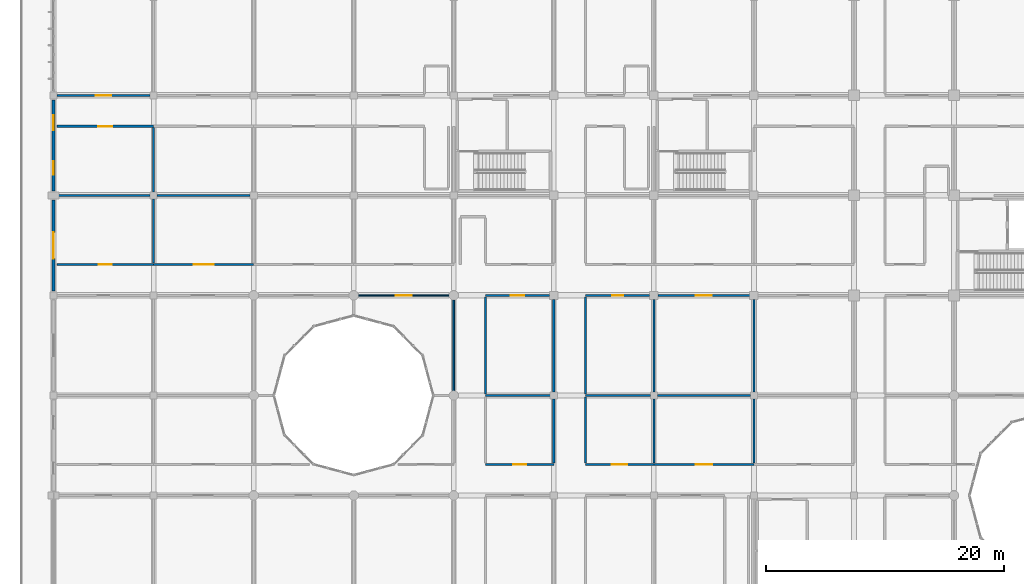
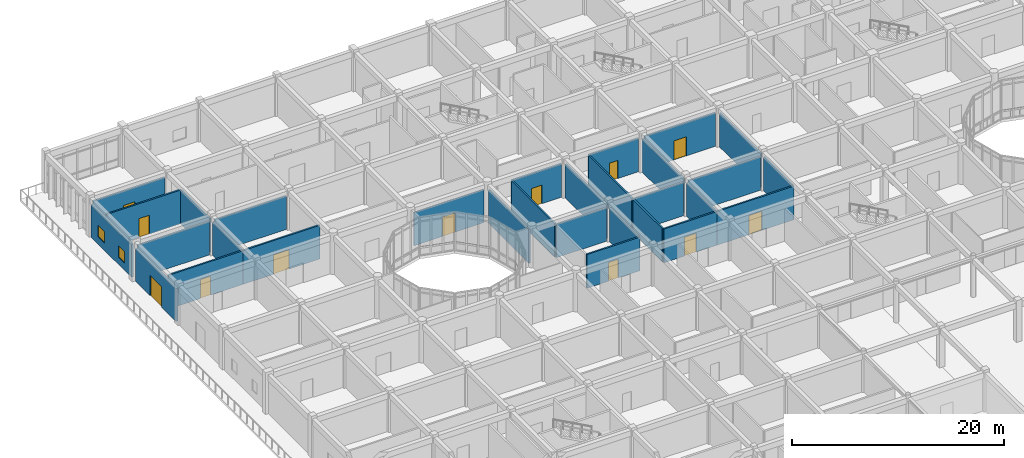
# One storey, part 99 of 138: 30 walls, 12 doors, 2 windows, 14 openings.
"""IFC4 building model written with IfcOpenShell, lengths in metres."""

from ifc_helpers import new_model, si_unit, direction, frame, frame_2d, origin, place, context, subcontext, project, spatial, rectangle, extrude, material, layer, layer_set, type_object, element, fill, save


model = new_model("IFC4")

# Units and contexts
model_context = context("Model", 3, precision=1e-05, world=origin(), true_north=direction((0.0, 1.0)))
body_context = subcontext(model_context, "Body", "Model", "MODEL_VIEW")
ifc_project = project(units=[si_unit("LENGTHUNIT", "METRE"), si_unit("AREAUNIT", "SQUARE_METRE"), si_unit("VOLUMEUNIT", "CUBIC_METRE"), si_unit("PLANEANGLEUNIT", "RADIAN"), si_unit("MASSUNIT", "GRAM", prefix="KILO")], contexts=[model_context])

# Site, building, storey
site_placement = place(None, origin())
site = spatial("IfcSite", under=ifc_project, at=site_placement, CompositionType="ELEMENT")
building_placement = place(site_placement, origin())
building = spatial("IfcBuilding", under=site, at=building_placement, Name="Bramfleet General Hospital", CompositionType="ELEMENT")
storey_placement = place(building_placement, origin())
storey = spatial("IfcBuildingStorey", under=building, at=storey_placement, Name="L00", CompositionType="ELEMENT", Elevation=0.0)

# Wall, opening, door
ifc_material_1 = material(Name="Precast concrete C40/50", Category="concrete")
ifc_layer_1 = layer(ifc_material_1, 0.25, Name="WT-EW-08")
ifc_layer_set_1 = layer_set([ifc_layer_1], Name="Precast concrete C40/50")
wall_type_1 = type_object("IfcWallType", Name="WT-EW-08", PredefinedType="SOLIDWALL", material=ifc_layer_set_1)
wall_1_placement = place(storey_placement, frame((0.0, 92.77490234375, 0.0), z_axis=(0.0, 0.0, 1.0), x_axis=(0.0, 1.0, 0.0)))
wall_1 = element("IfcWall", 1, at=wall_1_placement, inside=storey, type_object=wall_type_1, Name="L00 Exterior Wall 104", PredefinedType="SOLIDWALL", context=body_context, shape_type="SweptSolid", body=[
    extrude(rectangle(XDim=7.650146484375, YDim=0.25, at=frame_2d((3.8251953125, 0.0))), origin(), (0.0, 0.0, 1.0), 3.7900390625),
])
opening_1_placement = place(wall_1_placement, frame((2.72509765625, 0.0, 0.0)))
opening_1 = element("IfcOpeningElement", 2, at=opening_1_placement, cuts=wall_1, Name="Opening D-L00-EXT-006", PredefinedType="OPENING", context=body_context, shape_type="SweptSolid", body=[
    extrude(rectangle(XDim=2.199951171875, YDim=2.35009765625, at=frame_2d((1.10009765625, 1.175048828125))), frame((0.0, 0.135009765625, 0.0), z_axis=(0.0, -1.0, 0.0), x_axis=(1.0, 0.0, 0.0)), (0.0, 0.0, 1.0), 0.27001953125),
])
ifc_material_2 = material(Name="Thermally broken steel and laminated safety glass", Category="steel")
door_type_1 = type_object("IfcDoorType", Name="DR-ED-01", OperationType="NOTDEFINED", PredefinedType="DOOR", material=ifc_material_2)
door_1_placement = place(opening_1_placement, origin())
door_1 = element("IfcDoor", 3, at=door_1_placement, inside=storey, type_object=door_type_1, Name="Ground Exterior Pedestrian Door D-L00-EXT-006", OperationType="DOUBLE_SWING_LEFT", OverallHeight=2.35009765625, OverallWidth=2.199951171875, PredefinedType="DOOR", context=body_context, shape_type="SweptSolid", body=[
    extrude(rectangle(XDim=2.199951171875, YDim=2.35009765625, at=frame_2d((1.10009765625, 1.175048828125))), frame((0.0, 0.02490234375, 0.0), z_axis=(0.0, -1.0, 0.0), x_axis=(1.0, 0.0, 0.0)), (0.0, 0.0, 1.0), 0.050048828125),
])
fill(opening_1, door_1)

# Wall, openings, windows
ifc_layer_2 = layer(ifc_material_1, 0.235107421875, Name="WT-EW-09")
ifc_layer_set_2 = layer_set([ifc_layer_2], Name="Precast concrete C40/50")
wall_type_2 = type_object("IfcWallType", Name="WT-EW-09", PredefinedType="SOLIDWALL", material=ifc_layer_set_2)
wall_2_placement = place(storey_placement, frame((0.0, 101.175048828125, 0.0), z_axis=(0.0, 0.0, 1.0), x_axis=(0.0, 1.0, 0.0)))
wall_2 = element("IfcWall", 4, at=wall_2_placement, inside=storey, type_object=wall_type_2, Name="L00 Exterior Wall 105", PredefinedType="SOLIDWALL", context=body_context, shape_type="SweptSolid", body=[
    extrude(rectangle(XDim=7.64990234375, YDim=0.235107421875, at=frame_2d((3.824951171875, 0.0))), origin(), (0.0, 0.0, 1.0), 3.7900390625),
])
opening_2_placement = place(wall_2_placement, frame((1.33740234375, 0.0, 0.85009765625)))
opening_2 = element("IfcOpeningElement", 5, at=opening_2_placement, cuts=wall_2, Name="Opening W-03", PredefinedType="OPENING", context=body_context, shape_type="SweptSolid", body=[
    extrude(rectangle(XDim=1.14990234375, YDim=1.300048828125, at=frame_2d((0.574951171875, 0.64990234375))), frame((0.0, 0.12744140625, 0.0), z_axis=(0.0, -1.0, 0.0), x_axis=(1.0, 0.0, 0.0)), (0.0, 0.0, 1.0), 0.255126953125),
])
opening_3_placement = place(wall_2_placement, frame((5.112548828125, 0.0, 0.85009765625)))
opening_3 = element("IfcOpeningElement", 6, at=opening_3_placement, cuts=wall_2, Name="Opening W-04", PredefinedType="OPENING", context=body_context, shape_type="SweptSolid", body=[
    extrude(rectangle(XDim=1.25, YDim=1.300048828125, at=frame_2d((0.625, 0.64990234375))), frame((0.0, 0.12744140625, 0.0), z_axis=(0.0, -1.0, 0.0), x_axis=(1.0, 0.0, 0.0)), (0.0, 0.0, 1.0), 0.255126953125),
])
ifc_material_3 = material(Name="Anodised aluminium and low-E triple glazing", Category="aluminium")
window_type_1 = type_object("IfcWindowType", Name="WIN-W-03", PartitioningType="SINGLE_PANEL", PredefinedType="WINDOW", material=ifc_material_3)
window_1_placement = place(opening_2_placement, origin())
window_1 = element("IfcWindow", 7, at=window_1_placement, inside=storey, type_object=window_type_1, Name="L00 Facade Window WIN-L00-105-1", OverallHeight=1.300048828125, OverallWidth=1.14990234375, PartitioningType="SINGLE_PANEL", PredefinedType="WINDOW", context=body_context, shape_type="SweptSolid", body=[
    extrude(rectangle(XDim=1.14990234375, YDim=1.300048828125, at=frame_2d((0.574951171875, 0.64990234375))), frame((0.0, 0.030029296875, 0.0), z_axis=(0.0, -1.0, 0.0), x_axis=(1.0, 0.0, 0.0)), (0.0, 0.0, 1.0), 0.06005859375),
])
fill(opening_2, window_1)
window_type_2 = type_object("IfcWindowType", Name="WIN-W-04", PartitioningType="SINGLE_PANEL", PredefinedType="WINDOW", material=ifc_material_3)
window_2_placement = place(opening_3_placement, origin())
window_2 = element("IfcWindow", 8, at=window_2_placement, inside=storey, type_object=window_type_2, Name="L00 Facade Window WIN-L00-105-2", OverallHeight=1.300048828125, OverallWidth=1.25, PartitioningType="SINGLE_PANEL", PredefinedType="WINDOW", context=body_context, shape_type="SweptSolid", body=[
    extrude(rectangle(XDim=1.25, YDim=1.300048828125, at=frame_2d((0.625, 0.64990234375))), frame((0.0, 0.030029296875, 0.0), z_axis=(0.0, -1.0, 0.0), x_axis=(1.0, 0.0, 0.0)), (0.0, 0.0, 1.0), 0.06005859375),
])
fill(opening_3, window_2)

# Wall, opening, door
ifc_material_4 = material(Name="Concrete C35/45", Category="concrete")
ifc_layer_3 = layer(ifc_material_4, 0.179931640625, Name="WT-IW-04")
ifc_layer_set_3 = layer_set([ifc_layer_3], Name="Concrete C35/45")
wall_type_3 = type_object("IfcWallType", Name="WT-IW-04", PredefinedType="PARTITIONING", material=ifc_layer_set_3)
wall_3_placement = place(storey_placement, frame((36.25, 78.199951171875, 0.0), z_axis=(0.0, 0.0, 1.0), x_axis=(1.0, 0.0, 0.0)))
wall_3 = element("IfcWall", 9, at=wall_3_placement, inside=storey, type_object=wall_type_3, Name="L00 Interior Partition IW-L00-0768", PredefinedType="PARTITIONING", context=body_context, shape_type="SweptSolid", body=[
    extrude(rectangle(XDim=5.75, YDim=0.179931640625, at=frame_2d((2.875, 0.0))), origin(), (0.0, 0.0, 1.0), 3.889892578125),
])
opening_4_placement = place(wall_3_placement, frame((2.324951171875, 0.0, 0.0)))
opening_4 = element("IfcOpeningElement", 10, at=opening_4_placement, cuts=wall_3, Name="Opening D0459", PredefinedType="OPENING", context=body_context, shape_type="SweptSolid", body=[
    extrude(rectangle(XDim=1.10009765625, YDim=2.14990234375, at=frame_2d((0.550048828125, 1.074951171875))), frame((0.0, 0.099853515625, 0.0), z_axis=(0.0, -1.0, 0.0), x_axis=(1.0, 0.0, 0.0)), (0.0, 0.0, 1.0), 0.199951171875),
])
ifc_material_5 = material(Name="Stainless steel and acoustic timber leaf", Category="steel")
door_type_2 = type_object("IfcDoorType", Name="DR-D-11", OperationType="NOTDEFINED", PredefinedType="DOOR", material=ifc_material_5)
door_2_placement = place(opening_4_placement, origin())
door_2 = element("IfcDoor", 11, at=door_2_placement, inside=storey, type_object=door_type_2, Name="Diagnostic Imaging CT and Radiography 0409 Door D0459", OperationType="SINGLE_SWING_RIGHT", OverallHeight=2.14990234375, OverallWidth=1.10009765625, PredefinedType="DOOR", context=body_context, shape_type="SweptSolid", body=[
    extrude(rectangle(XDim=1.10009765625, YDim=2.14990234375, at=frame_2d((0.550048828125, 1.074951171875))), frame((0.0, 0.02490234375, 0.0), z_axis=(0.0, -1.0, 0.0), x_axis=(1.0, 0.0, 0.0)), (0.0, 0.0, 1.0), 0.050048828125),
])
fill(opening_4, door_2)

wall_4_placement = place(storey_placement, frame((44.64990234375, 78.199951171875, 0.0), z_axis=(0.0, 0.0, 1.0), x_axis=(1.0, 0.0, 0.0)))
wall_4 = element("IfcWall", 12, at=wall_4_placement, inside=storey, type_object=wall_type_3, Name="L00 Interior Partition IW-L00-0769", PredefinedType="PARTITIONING", context=body_context, shape_type="SweptSolid", body=[
    extrude(rectangle(XDim=5.75, YDim=0.179931640625, at=frame_2d((2.875, 0.0))), origin(), (0.0, 0.0, 1.0), 3.889892578125),
])
opening_5_placement = place(wall_4_placement, frame((2.215087890625, 0.0, 0.0)))
opening_5 = element("IfcOpeningElement", 13, at=opening_5_placement, cuts=wall_4, Name="Opening D0472", PredefinedType="OPENING", context=body_context, shape_type="SweptSolid", body=[
    extrude(rectangle(XDim=1.320068359375, YDim=2.179931640625, at=frame_2d((0.66015625, 1.08984375))), frame((0.0, 0.099853515625, 0.0), z_axis=(0.0, -1.0, 0.0), x_axis=(1.0, 0.0, 0.0)), (0.0, 0.0, 1.0), 0.199951171875),
])
door_type_3 = type_object("IfcDoorType", Name="DR-D-24", OperationType="NOTDEFINED", PredefinedType="DOOR", material=ifc_material_5)
door_3_placement = place(opening_5_placement, origin())
door_3 = element("IfcDoor", 14, at=door_3_placement, inside=storey, type_object=door_type_3, Name="Diagnostic Imaging CT and Radiography 0509 Door D0472", OperationType="SINGLE_SWING_LEFT", OverallHeight=2.179931640625, OverallWidth=1.320068359375, PredefinedType="DOOR", context=body_context, shape_type="SweptSolid", body=[
    extrude(rectangle(XDim=1.320068359375, YDim=2.179931640625, at=frame_2d((0.66015625, 1.08984375))), frame((0.0, 0.02490234375, 0.0), z_axis=(0.0, -1.0, 0.0), x_axis=(1.0, 0.0, 0.0)), (0.0, 0.0, 1.0), 0.050048828125),
])
fill(opening_5, door_3)

wall_5_placement = place(storey_placement, frame((50.39990234375, 78.199951171875, 0.0), z_axis=(0.0, 0.0, 1.0), x_axis=(1.0, 0.0, 0.0)))
wall_5 = element("IfcWall", 15, at=wall_5_placement, inside=storey, type_object=wall_type_3, Name="L00 Interior Partition IW-L00-0770", PredefinedType="PARTITIONING", context=body_context, shape_type="SweptSolid", body=[
    extrude(rectangle(XDim=8.400146484375, YDim=0.179931640625, at=frame_2d((4.2001953125, 0.0))), origin(), (0.0, 0.0, 1.0), 3.889892578125),
])
opening_6_placement = place(wall_5_placement, frame((3.5, 0.0, 0.0)))
opening_6 = element("IfcOpeningElement", 16, at=opening_6_placement, cuts=wall_5, Name="Opening D0481", PredefinedType="OPENING", context=body_context, shape_type="SweptSolid", body=[
    extrude(rectangle(XDim=1.39990234375, YDim=2.199951171875, at=frame_2d((0.699951171875, 1.10009765625))), frame((0.0, 0.099853515625, 0.0), z_axis=(0.0, -1.0, 0.0), x_axis=(1.0, 0.0, 0.0)), (0.0, 0.0, 1.0), 0.199951171875),
])
door_type_4 = type_object("IfcDoorType", Name="DR-D-01", OperationType="NOTDEFINED", PredefinedType="DOOR", material=ifc_material_5)
door_4_placement = place(opening_6_placement, origin())
door_4 = element("IfcDoor", 17, at=door_4_placement, inside=storey, type_object=door_type_4, Name="Diagnostic Imaging CT and Radiography 0609 Door D0481", OperationType="SINGLE_SWING_RIGHT", OverallHeight=2.199951171875, OverallWidth=1.39990234375, PredefinedType="DOOR", context=body_context, shape_type="SweptSolid", body=[
    extrude(rectangle(XDim=1.39990234375, YDim=2.199951171875, at=frame_2d((0.699951171875, 1.10009765625))), frame((0.0, 0.02490234375, 0.0), z_axis=(0.0, -1.0, 0.0), x_axis=(1.0, 0.0, 0.0)), (0.0, 0.0, 1.0), 0.050048828125),
])
fill(opening_6, door_4)

# Walls
for number, where, z_axis, x_axis, name in (
    (18, (36.25, 84.0, 0.0), (0.0, 0.0, 1.0), (1.0, 0.0, 0.0), "L00 Interior Partition IW-L00-0785"),
    (19, (44.64990234375, 84.0, 0.0), (0.0, 0.0, 1.0), (1.0, 0.0, 0.0), "L00 Interior Partition IW-L00-0786"),
):
    element("IfcWall", number, at=place(storey_placement, frame(where, z_axis=z_axis, x_axis=x_axis)), inside=storey, type_object=wall_type_3, Name=name, PredefinedType="PARTITIONING", context=body_context, shape_type="SweptSolid", body=[
        extrude(rectangle(XDim=5.455078125, YDim=0.179931640625, at=frame_2d((2.7275390625, 0.0))), origin(), (0.0, 0.0, 1.0), 3.840087890625),
    ])
wall_6_placement = place(storey_placement, frame((50.695068359375, 84.0, 0.0), z_axis=(0.0, 0.0, 1.0), x_axis=(1.0, 0.0, 0.0)))
element("IfcWall", 20, at=wall_6_placement, inside=storey, type_object=wall_type_3, Name="L00 Interior Partition IW-L00-0787", PredefinedType="PARTITIONING", context=body_context, shape_type="SweptSolid", body=[
    extrude(rectangle(XDim=7.809814453125, YDim=0.179931640625, at=frame_2d((3.90478515625, 0.0))), origin(), (0.0, 0.0, 1.0), 3.840087890625),
])

# Wall, opening, door
wall_7_placement = place(storey_placement, frame((36.25, 92.39990234375, 0.0), z_axis=(0.0, 0.0, 1.0), x_axis=(1.0, 0.0, 0.0)))
wall_7 = element("IfcWall", 21, at=wall_7_placement, inside=storey, type_object=wall_type_3, Name="L00 Interior Partition IW-L00-0804", PredefinedType="PARTITIONING", context=body_context, shape_type="SweptSolid", body=[
    extrude(rectangle(XDim=5.405029296875, YDim=0.179931640625, at=frame_2d((2.70263671875, 0.0))), origin(), (0.0, 0.0, 1.0), 3.840087890625),
])
opening_7_placement = place(wall_7_placement, frame((2.12744140625, 0.0, 0.0)))
opening_7 = element("IfcOpeningElement", 22, at=opening_7_placement, cuts=wall_7, Name="Opening D0460", PredefinedType="OPENING", context=body_context, shape_type="SweptSolid", body=[
    extrude(rectangle(XDim=1.14990234375, YDim=2.14990234375, at=frame_2d((0.574951171875, 1.074951171875))), frame((0.0, 0.099853515625, 0.0), z_axis=(0.0, -1.0, 0.0), x_axis=(1.0, 0.0, 0.0)), (0.0, 0.0, 1.0), 0.199951171875),
])
door_type_5 = type_object("IfcDoorType", Name="DR-D-12", OperationType="NOTDEFINED", PredefinedType="DOOR", material=ifc_material_5)
door_5_placement = place(opening_7_placement, origin())
door_5 = element("IfcDoor", 23, at=door_5_placement, inside=storey, type_object=door_type_5, Name="Diagnostic Imaging CT and Radiography 0410 Door D0460", OperationType="SINGLE_SWING_LEFT", OverallHeight=2.14990234375, OverallWidth=1.14990234375, PredefinedType="DOOR", context=body_context, shape_type="SweptSolid", body=[
    extrude(rectangle(XDim=1.14990234375, YDim=2.14990234375, at=frame_2d((0.574951171875, 1.074951171875))), frame((0.0, 0.02490234375, 0.0), z_axis=(0.0, -1.0, 0.0), x_axis=(1.0, 0.0, 0.0)), (0.0, 0.0, 1.0), 0.050048828125),
])
fill(opening_7, door_5)

wall_8_placement = place(storey_placement, frame((44.64990234375, 92.39990234375, 0.0), z_axis=(0.0, 0.0, 1.0), x_axis=(1.0, 0.0, 0.0)))
wall_8 = element("IfcWall", 24, at=wall_8_placement, inside=storey, type_object=wall_type_3, Name="L00 Interior Partition IW-L00-0805", PredefinedType="PARTITIONING", context=body_context, shape_type="SweptSolid", body=[
    extrude(rectangle(XDim=5.405029296875, YDim=0.179931640625, at=frame_2d((2.70263671875, 0.0))), origin(), (0.0, 0.0, 1.0), 3.840087890625),
])
opening_8_placement = place(wall_8_placement, frame((2.242431640625, 0.0, 0.0)))
opening_8 = element("IfcOpeningElement", 25, at=opening_8_placement, cuts=wall_8, Name="Opening D0473", PredefinedType="OPENING", context=body_context, shape_type="SweptSolid", body=[
    extrude(rectangle(XDim=0.919921875, YDim=2.080078125, at=frame_2d((0.4599609375, 1.0400390625))), frame((0.0, 0.099853515625, 0.0), z_axis=(0.0, -1.0, 0.0), x_axis=(1.0, 0.0, 0.0)), (0.0, 0.0, 1.0), 0.199951171875),
])
door_type_6 = type_object("IfcDoorType", Name="DR-D-25", OperationType="NOTDEFINED", PredefinedType="DOOR", material=ifc_material_5)
door_6_placement = place(opening_8_placement, origin())
door_6 = element("IfcDoor", 26, at=door_6_placement, inside=storey, type_object=door_type_6, Name="Diagnostic Imaging CT and Radiography 0510 Door D0473", OperationType="SINGLE_SWING_RIGHT", OverallHeight=2.080078125, OverallWidth=0.919921875, PredefinedType="DOOR", context=body_context, shape_type="SweptSolid", body=[
    extrude(rectangle(XDim=0.919921875, YDim=2.080078125, at=frame_2d((0.4599609375, 1.0400390625))), frame((0.0, 0.02490234375, 0.0), z_axis=(0.0, -1.0, 0.0), x_axis=(1.0, 0.0, 0.0)), (0.0, 0.0, 1.0), 0.050048828125),
])
fill(opening_8, door_6)

wall_9_placement = place(storey_placement, frame((50.7451171875, 92.39990234375, 0.0), z_axis=(0.0, 0.0, 1.0), x_axis=(1.0, 0.0, 0.0)))
wall_9 = element("IfcWall", 27, at=wall_9_placement, inside=storey, type_object=wall_type_3, Name="L00 Interior Partition IW-L00-0806", PredefinedType="PARTITIONING", context=body_context, shape_type="SweptSolid", body=[
    extrude(rectangle(XDim=7.7099609375, YDim=0.179931640625, at=frame_2d((3.85498046875, 0.0))), origin(), (0.0, 0.0, 1.0), 3.840087890625),
])
opening_9_placement = place(wall_9_placement, frame((3.179931640625, 0.0, 0.0)))
opening_9 = element("IfcOpeningElement", 28, at=opening_9_placement, cuts=wall_9, Name="Opening D0482", PredefinedType="OPENING", context=body_context, shape_type="SweptSolid", body=[
    extrude(rectangle(XDim=1.35009765625, YDim=2.199951171875, at=frame_2d((0.675048828125, 1.10009765625))), frame((0.0, 0.099853515625, 0.0), z_axis=(0.0, -1.0, 0.0), x_axis=(1.0, 0.0, 0.0)), (0.0, 0.0, 1.0), 0.199951171875),
])
door_type_7 = type_object("IfcDoorType", Name="DR-D-02", OperationType="NOTDEFINED", PredefinedType="DOOR", material=ifc_material_5)
door_7_placement = place(opening_9_placement, origin())
door_7 = element("IfcDoor", 29, at=door_7_placement, inside=storey, type_object=door_type_7, Name="Diagnostic Imaging CT and Radiography 0610 Door D0482", OperationType="SINGLE_SWING_LEFT", OverallHeight=2.199951171875, OverallWidth=1.35009765625, PredefinedType="DOOR", context=body_context, shape_type="SweptSolid", body=[
    extrude(rectangle(XDim=1.35009765625, YDim=2.199951171875, at=frame_2d((0.675048828125, 1.10009765625))), frame((0.0, 0.02490234375, 0.0), z_axis=(0.0, -1.0, 0.0), x_axis=(1.0, 0.0, 0.0)), (0.0, 0.0, 1.0), 0.050048828125),
])
fill(opening_9, door_7)

wall_10_placement = place(storey_placement, frame((0.280029296875, 95.0, 0.0), z_axis=(0.0, 0.0, 1.0), x_axis=(1.0, 0.0, 0.0)))
wall_10 = element("IfcWall", 30, at=wall_10_placement, inside=storey, type_object=wall_type_3, Name="L00 Interior Partition IW-L00-0820", PredefinedType="PARTITIONING", context=body_context, shape_type="SweptSolid", body=[
    extrude(rectangle(XDim=8.119873046875, YDim=0.179931640625, at=frame_2d((4.06005859375, 0.0))), origin(), (0.0, 0.0, 1.0), 3.889892578125),
])
opening_10_placement = place(wall_10_placement, frame((3.5, 0.0, 0.0)))
opening_10 = element("IfcOpeningElement", 31, at=opening_10_placement, cuts=wall_10, Name="Opening D0411", PredefinedType="OPENING", context=body_context, shape_type="SweptSolid", body=[
    extrude(rectangle(XDim=1.1201171875, YDim=2.179931640625, at=frame_2d((0.56005859375, 1.08984375))), frame((0.0, 0.099853515625, 0.0), z_axis=(0.0, -1.0, 0.0), x_axis=(1.0, 0.0, 0.0)), (0.0, 0.0, 1.0), 0.199951171875),
])
door_type_8 = type_object("IfcDoorType", Name="DR-D-27", OperationType="NOTDEFINED", PredefinedType="DOOR", material=ifc_material_5)
door_8_placement = place(opening_10_placement, origin())
door_8 = element("IfcDoor", 32, at=door_8_placement, inside=storey, type_object=door_type_8, Name="Diagnostic Imaging CT and Radiography 0011 Door D0411", OperationType="SINGLE_SWING_RIGHT", OverallHeight=2.179931640625, OverallWidth=1.1201171875, PredefinedType="DOOR", context=body_context, shape_type="SweptSolid", body=[
    extrude(rectangle(XDim=1.1201171875, YDim=2.179931640625, at=frame_2d((0.56005859375, 1.08984375))), frame((0.0, 0.02490234375, 0.0), z_axis=(0.0, -1.0, 0.0), x_axis=(1.0, 0.0, 0.0)), (0.0, 0.0, 1.0), 0.050048828125),
])
fill(opening_10, door_8)

wall_11_placement = place(storey_placement, frame((8.39990234375, 95.0, 0.0), z_axis=(0.0, 0.0, 1.0), x_axis=(1.0, 0.0, 0.0)))
wall_11 = element("IfcWall", 33, at=wall_11_placement, inside=storey, type_object=wall_type_3, Name="L00 Interior Partition IW-L00-0821", PredefinedType="PARTITIONING", context=body_context, shape_type="SweptSolid", body=[
    extrude(rectangle(XDim=8.400146484375, YDim=0.179931640625, at=frame_2d((4.2001953125, 0.0))), origin(), (0.0, 0.0, 1.0), 3.889892578125),
])
opening_11_placement = place(wall_11_placement, frame((3.35009765625, 0.0, 0.0)))
opening_11 = element("IfcOpeningElement", 34, at=opening_11_placement, cuts=wall_11, Name="Opening D0423", PredefinedType="OPENING", context=body_context, shape_type="SweptSolid", body=[
    extrude(rectangle(XDim=1.699951171875, YDim=2.25, at=frame_2d((0.85009765625, 1.125))), frame((0.0, 0.099853515625, 0.0), z_axis=(0.0, -1.0, 0.0), x_axis=(1.0, 0.0, 0.0)), (0.0, 0.0, 1.0), 0.199951171875),
])
door_type_9 = type_object("IfcDoorType", Name="DR-D-07", OperationType="NOTDEFINED", PredefinedType="DOOR", material=ifc_material_5)
door_9_placement = place(opening_11_placement, origin())
door_9 = element("IfcDoor", 35, at=door_9_placement, inside=storey, type_object=door_type_9, Name="Diagnostic Imaging CT and Radiography 0111 Door D0423", OperationType="DOUBLE_SWING_RIGHT", OverallHeight=2.25, OverallWidth=1.699951171875, PredefinedType="DOOR", context=body_context, shape_type="SweptSolid", body=[
    extrude(rectangle(XDim=1.699951171875, YDim=2.25, at=frame_2d((0.85009765625, 1.125))), frame((0.0, 0.02490234375, 0.0), z_axis=(0.0, -1.0, 0.0), x_axis=(1.0, 0.0, 0.0)), (0.0, 0.0, 1.0), 0.050048828125),
])
fill(opening_11, door_9)

# Walls
wall_12_placement = place(storey_placement, frame((0.294921875, 100.800048828125, 0.0), z_axis=(0.0, 0.0, 1.0), x_axis=(1.0, 0.0, 0.0)))
element("IfcWall", 36, at=wall_12_placement, inside=storey, type_object=wall_type_3, Name="L00 Interior Partition IW-L00-0839", PredefinedType="PARTITIONING", context=body_context, shape_type="SweptSolid", body=[
    extrude(rectangle(XDim=7.81005859375, YDim=0.179931640625, at=frame_2d((3.905029296875, 0.0))), origin(), (0.0, 0.0, 1.0), 3.840087890625),
])
wall_13_placement = place(storey_placement, frame((8.695068359375, 100.800048828125, 0.0), z_axis=(0.0, 0.0, 1.0), x_axis=(1.0, 0.0, 0.0)))
element("IfcWall", 37, at=wall_13_placement, inside=storey, type_object=wall_type_3, Name="L00 Interior Partition IW-L00-0840", PredefinedType="PARTITIONING", context=body_context, shape_type="SweptSolid", body=[
    extrude(rectangle(XDim=7.809814453125, YDim=0.179931640625, at=frame_2d((3.90478515625, 0.0))), origin(), (0.0, 0.0, 1.0), 3.840087890625),
])

# Wall, opening, door
wall_14_placement = place(storey_placement, frame((0.280029296875, 106.60009765625, 0.0), z_axis=(0.0, 0.0, 1.0), x_axis=(1.0, 0.0, 0.0)))
wall_14 = element("IfcWall", 38, at=wall_14_placement, inside=storey, type_object=wall_type_3, Name="L00 Interior Partition IW-L00-0867", PredefinedType="PARTITIONING", context=body_context, shape_type="SweptSolid", body=[
    extrude(rectangle(XDim=8.119873046875, YDim=0.179931640625, at=frame_2d((4.06005859375, 0.0))), origin(), (0.0, 0.0, 1.0), 3.889892578125),
])
opening_12_placement = place(wall_14_placement, frame((3.469970703125, 0.0, 0.0)))
opening_12 = element("IfcOpeningElement", 39, at=opening_12_placement, cuts=wall_14, Name="Opening D0412", PredefinedType="OPENING", context=body_context, shape_type="SweptSolid", body=[
    extrude(rectangle(XDim=1.179931640625, YDim=2.179931640625, at=frame_2d((0.58984375, 1.08984375))), frame((0.0, 0.099853515625, 0.0), z_axis=(0.0, -1.0, 0.0), x_axis=(1.0, 0.0, 0.0)), (0.0, 0.0, 1.0), 0.199951171875),
])
door_type_10 = type_object("IfcDoorType", Name="DR-D-28", OperationType="NOTDEFINED", PredefinedType="DOOR", material=ifc_material_5)
door_10_placement = place(opening_12_placement, origin())
door_10 = element("IfcDoor", 40, at=door_10_placement, inside=storey, type_object=door_type_10, Name="Diagnostic Imaging CT and Radiography 0012 Door D0412", OperationType="SINGLE_SWING_LEFT", OverallHeight=2.179931640625, OverallWidth=1.179931640625, PredefinedType="DOOR", context=body_context, shape_type="SweptSolid", body=[
    extrude(rectangle(XDim=1.179931640625, YDim=2.179931640625, at=frame_2d((0.58984375, 1.08984375))), frame((0.0, 0.02490234375, 0.0), z_axis=(0.0, -1.0, 0.0), x_axis=(1.0, 0.0, 0.0)), (0.0, 0.0, 1.0), 0.050048828125),
])
fill(opening_12, door_10)

wall_15_placement = place(storey_placement, frame((0.294921875, 109.199951171875, 0.0), z_axis=(0.0, 0.0, 1.0), x_axis=(1.0, 0.0, 0.0)))
wall_15 = element("IfcWall", 41, at=wall_15_placement, inside=storey, type_object=wall_type_3, Name="L00 Interior Partition IW-L00-0885", PredefinedType="PARTITIONING", context=body_context, shape_type="SweptSolid", body=[
    extrude(rectangle(XDim=7.81005859375, YDim=0.179931640625, at=frame_2d((3.905029296875, 0.0))), origin(), (0.0, 0.0, 1.0), 3.840087890625),
])
opening_13_placement = place(wall_15_placement, frame((3.264892578125, 0.0, 0.0)))
opening_13 = element("IfcOpeningElement", 42, at=opening_13_placement, cuts=wall_15, Name="Opening D0413", PredefinedType="OPENING", context=body_context, shape_type="SweptSolid", body=[
    extrude(rectangle(XDim=1.280029296875, YDim=2.179931640625, at=frame_2d((0.64013671875, 1.08984375))), frame((0.0, 0.099853515625, 0.0), z_axis=(0.0, -1.0, 0.0), x_axis=(1.0, 0.0, 0.0)), (0.0, 0.0, 1.0), 0.199951171875),
])
door_type_11 = type_object("IfcDoorType", Name="DR-D-29", OperationType="NOTDEFINED", PredefinedType="DOOR", material=ifc_material_5)
door_11_placement = place(opening_13_placement, origin())
door_11 = element("IfcDoor", 43, at=door_11_placement, inside=storey, type_object=door_type_11, Name="Diagnostic Imaging CT and Radiography 0013 Door D0413", OperationType="SINGLE_SWING_RIGHT", OverallHeight=2.179931640625, OverallWidth=1.280029296875, PredefinedType="DOOR", context=body_context, shape_type="SweptSolid", body=[
    extrude(rectangle(XDim=1.280029296875, YDim=2.179931640625, at=frame_2d((0.64013671875, 1.08984375))), frame((0.0, 0.02490234375, 0.0), z_axis=(0.0, -1.0, 0.0), x_axis=(1.0, 0.0, 0.0)), (0.0, 0.0, 1.0), 0.050048828125),
])
fill(opening_13, door_11)

# Walls
wall_16_placement = place(storey_placement, frame((8.39990234375, 95.114990234375, 0.0), z_axis=(0.0, 0.0, 1.0), x_axis=(0.0, 1.0, 0.0)))
element("IfcWall", 44, at=wall_16_placement, inside=storey, type_object=wall_type_3, Name="L00 Interior Partition IW-L00-0921", PredefinedType="PARTITIONING", context=body_context, shape_type="SweptSolid", body=[
    extrude(rectangle(XDim=5.389892578125, YDim=0.179931640625, at=frame_2d((2.69482421875, 0.0))), origin(), (0.0, 0.0, 1.0), 3.889892578125),
])
wall_17_placement = place(storey_placement, frame((8.39990234375, 101.094970703125, 0.0), z_axis=(0.0, 0.0, 1.0), x_axis=(0.0, 1.0, 0.0)))
element("IfcWall", 45, at=wall_17_placement, inside=storey, type_object=wall_type_3, Name="L00 Interior Partition IW-L00-0922", PredefinedType="PARTITIONING", context=body_context, shape_type="SweptSolid", body=[
    extrude(rectangle(XDim=5.39013671875, YDim=0.179931640625, at=frame_2d((2.695068359375, 0.0))), origin(), (0.0, 0.0, 1.0), 3.889892578125),
])
wall_18_placement = place(storey_placement, frame((36.25, 84.114990234375, 0.0), z_axis=(0.0, 0.0, 1.0), x_axis=(0.0, 1.0, 0.0)))
element("IfcWall", 46, at=wall_18_placement, inside=storey, type_object=wall_type_3, Name="L00 Interior Partition IW-L00-0981", PredefinedType="PARTITIONING", context=body_context, shape_type="SweptSolid", body=[
    extrude(rectangle(XDim=8.169921875, YDim=0.179931640625, at=frame_2d((4.0849609375, 0.0))), origin(), (0.0, 0.0, 1.0), 3.840087890625),
])
wall_19_placement = place(storey_placement, frame((42.0, 78.31494140625, 0.0), z_axis=(0.0, 0.0, 1.0), x_axis=(0.0, 1.0, 0.0)))
element("IfcWall", 47, at=wall_19_placement, inside=storey, type_object=wall_type_3, Name="L00 Interior Partition IW-L00-0992", PredefinedType="PARTITIONING", context=body_context, shape_type="SweptSolid", body=[
    extrude(rectangle(XDim=5.39013671875, YDim=0.179931640625, at=frame_2d((2.695068359375, 0.0))), origin(), (0.0, 0.0, 1.0), 3.889892578125),
])
wall_20_placement = place(storey_placement, frame((42.0, 84.294921875, 0.0), z_axis=(0.0, 0.0, 1.0), x_axis=(0.0, 1.0, 0.0)))
element("IfcWall", 48, at=wall_20_placement, inside=storey, type_object=wall_type_3, Name="L00 Interior Partition IW-L00-0993", PredefinedType="PARTITIONING", context=body_context, shape_type="SweptSolid", body=[
    extrude(rectangle(XDim=7.760009765625, YDim=0.179931640625, at=frame_2d((3.8798828125, 0.0))), origin(), (0.0, 0.0, 1.0), 3.889892578125),
])
wall_21_placement = place(storey_placement, frame((44.64990234375, 78.31494140625, 0.0), z_axis=(0.0, 0.0, 1.0), x_axis=(0.0, 1.0, 0.0)))
element("IfcWall", 49, at=wall_21_placement, inside=storey, type_object=wall_type_3, Name="L00 Interior Partition IW-L00-0998", PredefinedType="PARTITIONING", context=body_context, shape_type="SweptSolid", body=[
    extrude(rectangle(XDim=5.570068359375, YDim=0.179931640625, at=frame_2d((2.78515625, 0.0))), origin(), (0.0, 0.0, 1.0), 3.840087890625),
])
wall_22_placement = place(storey_placement, frame((44.64990234375, 84.114990234375, 0.0), z_axis=(0.0, 0.0, 1.0), x_axis=(0.0, 1.0, 0.0)))
element("IfcWall", 50, at=wall_22_placement, inside=storey, type_object=wall_type_3, Name="L00 Interior Partition IW-L00-0999", PredefinedType="PARTITIONING", context=body_context, shape_type="SweptSolid", body=[
    extrude(rectangle(XDim=8.169921875, YDim=0.179931640625, at=frame_2d((4.0849609375, 0.0))), origin(), (0.0, 0.0, 1.0), 3.840087890625),
])
wall_23_placement = place(storey_placement, frame((50.39990234375, 78.31494140625, 0.0), z_axis=(0.0, 0.0, 1.0), x_axis=(0.0, 1.0, 0.0)))
element("IfcWall", 51, at=wall_23_placement, inside=storey, type_object=wall_type_3, Name="L00 Interior Partition IW-L00-1018", PredefinedType="PARTITIONING", context=body_context, shape_type="SweptSolid", body=[
    extrude(rectangle(XDim=5.39013671875, YDim=0.179931640625, at=frame_2d((2.695068359375, 0.0))), origin(), (0.0, 0.0, 1.0), 3.889892578125),
])
wall_24_placement = place(storey_placement, frame((50.39990234375, 84.294921875, 0.0), z_axis=(0.0, 0.0, 1.0), x_axis=(0.0, 1.0, 0.0)))
element("IfcWall", 52, at=wall_24_placement, inside=storey, type_object=wall_type_3, Name="L00 Interior Partition IW-L00-1019", PredefinedType="PARTITIONING", context=body_context, shape_type="SweptSolid", body=[
    extrude(rectangle(XDim=7.760009765625, YDim=0.179931640625, at=frame_2d((3.8798828125, 0.0))), origin(), (0.0, 0.0, 1.0), 3.889892578125),
])
wall_25_placement = place(storey_placement, frame((58.800048828125, 78.31494140625, 0.0), z_axis=(0.0, 0.0, 1.0), x_axis=(0.0, 1.0, 0.0)))
element("IfcWall", 53, at=wall_25_placement, inside=storey, type_object=wall_type_3, Name="L00 Interior Partition IW-L00-1030", PredefinedType="PARTITIONING", context=body_context, shape_type="SweptSolid", body=[
    extrude(rectangle(XDim=5.39013671875, YDim=0.179931640625, at=frame_2d((2.695068359375, 0.0))), origin(), (0.0, 0.0, 1.0), 3.889892578125),
])
wall_26_placement = place(storey_placement, frame((58.800048828125, 84.294921875, 0.0), z_axis=(0.0, 0.0, 1.0), x_axis=(0.0, 1.0, 0.0)))
element("IfcWall", 54, at=wall_26_placement, inside=storey, type_object=wall_type_3, Name="L00 Interior Partition IW-L00-1031", PredefinedType="PARTITIONING", context=body_context, shape_type="SweptSolid", body=[
    extrude(rectangle(XDim=7.760009765625, YDim=0.179931640625, at=frame_2d((3.8798828125, 0.0))), origin(), (0.0, 0.0, 1.0), 3.889892578125),
])
ifc_material_6 = material(Name="Gypsum plasterboard on acoustic steel studs", Category="steel")
ifc_layer_4 = layer(ifc_material_6, 0.159912109375, Name="WT-IW-06")
ifc_layer_set_4 = layer_set([ifc_layer_4], Name="Gypsum plasterboard on acoustic steel studs")
wall_type_4 = type_object("IfcWallType", Name="WT-IW-06", PredefinedType="PARTITIONING", material=ifc_layer_set_4)
wall_27_placement = place(storey_placement, frame((33.60009765625, 84.39501953125, 0.0), z_axis=(0.0, 0.0, 1.0), x_axis=(0.0, 1.0, 0.0)))
element("IfcWall", 55, at=wall_27_placement, inside=storey, type_object=wall_type_4, Name="L00 Interior Partition IW-L00-0966", PredefinedType="PARTITIONING", context=body_context, shape_type="SweptSolid", body=[
    extrude(rectangle(XDim=7.60986328125, YDim=0.159912109375, at=frame_2d((3.804931640625, 0.0))), origin(), (0.0, 0.0, 1.0), 3.889892578125),
])

# Wall, opening, door
ifc_layer_5 = layer(ifc_material_6, 0.112060546875, Name="WT-IW-11")
ifc_layer_set_5 = layer_set([ifc_layer_5], Name="Gypsum plasterboard on acoustic steel studs")
wall_type_5 = type_object("IfcWallType", Name="WT-IW-11", PredefinedType="PARTITIONING", material=ifc_layer_set_5)
wall_28_placement = place(storey_placement, frame((25.594970703125, 92.39990234375, 0.0), z_axis=(0.0, 0.0, 1.0), x_axis=(1.0, 0.0, 0.0)))
wall_28 = element("IfcWall", 56, at=wall_28_placement, inside=storey, type_object=wall_type_5, Name="L00 Interior Partition IW-L00-0803", PredefinedType="PARTITIONING", context=body_context, shape_type="SweptSolid", body=[
    extrude(rectangle(XDim=7.610107421875, YDim=0.112060546875, at=frame_2d((3.80517578125, 0.0))), origin(), (0.0, 0.0, 1.0), 3.840087890625),
])
opening_14_placement = place(wall_28_placement, frame((3.114990234375, 0.0, 0.0)))
opening_14 = element("IfcOpeningElement", 57, at=opening_14_placement, cuts=wall_28, Name="Opening D0446", PredefinedType="OPENING", context=body_context, shape_type="SweptSolid", body=[
    extrude(rectangle(XDim=1.3798828125, YDim=2.219970703125, at=frame_2d((0.68994140625, 1.10986328125))), frame((0.0, 0.06591796875, 0.0), z_axis=(0.0, -1.0, 0.0), x_axis=(1.0, 0.0, 0.0)), (0.0, 0.0, 1.0), 0.132080078125),
])
door_type_12 = type_object("IfcDoorType", Name="DR-D-30", OperationType="NOTDEFINED", PredefinedType="DOOR", material=ifc_material_5)
door_12_placement = place(opening_14_placement, origin())
door_12 = element("IfcDoor", 58, at=door_12_placement, inside=storey, type_object=door_type_12, Name="Courtyard Waiting Lounge L00-0310 Door D0446", OperationType="SINGLE_SWING_LEFT", OverallHeight=2.219970703125, OverallWidth=1.3798828125, PredefinedType="DOOR", context=body_context, shape_type="SweptSolid", body=[
    extrude(rectangle(XDim=1.3798828125, YDim=2.219970703125, at=frame_2d((0.68994140625, 1.10986328125))), frame((0.0, 0.02490234375, 0.0), z_axis=(0.0, -1.0, 0.0), x_axis=(1.0, 0.0, 0.0)), (0.0, 0.0, 1.0), 0.050048828125),
])
fill(opening_14, door_12)

save(model, "model.ifc")
